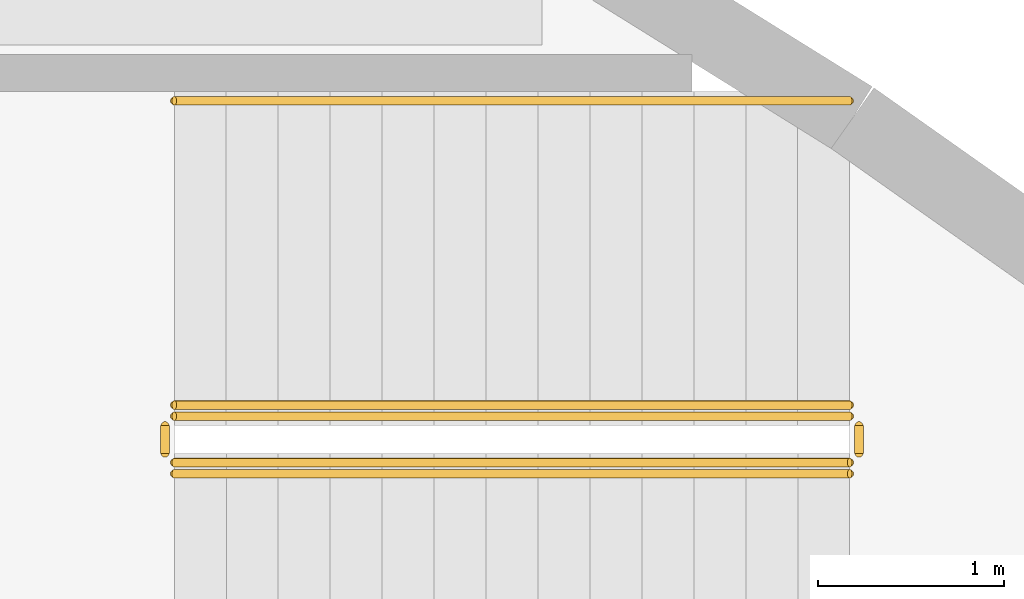
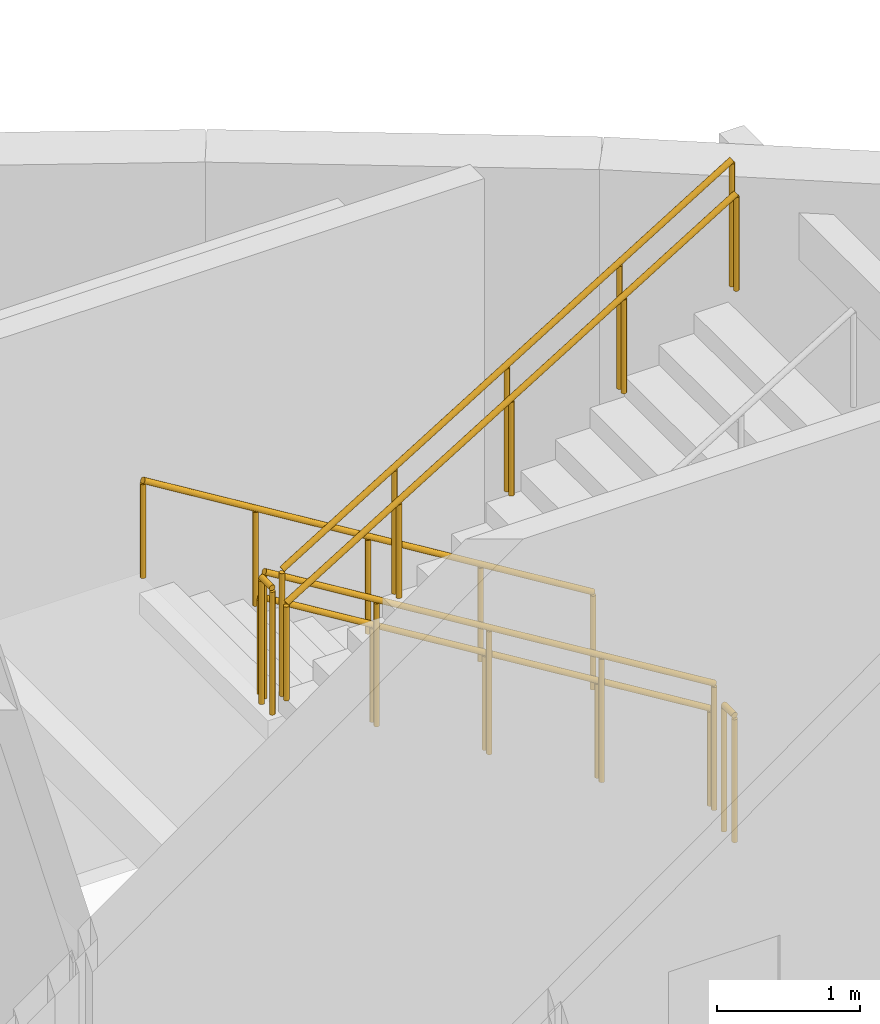
# One storey, part 90 of 93: 7 railings.
"""IFC4 building model written with IfcOpenShell, lengths in metres."""

from ifc_helpers import new_model, si_unit, direction, frame, origin, origin_2d, place, context, subcontext, project, spatial, circle, extrude, material, type_object, element, save


model = new_model("IFC4")

# Units and contexts
model_context = context("Model", 3, precision=1e-05, world=origin(), true_north=direction((0.0, 1.0)))
body_context = subcontext(model_context, "Body", "Model", "MODEL_VIEW")
ifc_project = project(units=[si_unit("LENGTHUNIT", "METRE"), si_unit("AREAUNIT", "SQUARE_METRE"), si_unit("VOLUMEUNIT", "CUBIC_METRE"), si_unit("PLANEANGLEUNIT", "RADIAN"), si_unit("MASSUNIT", "GRAM", prefix="KILO")], contexts=[model_context])

# Site, building, storey
site_placement = place(None, origin())
site = spatial("IfcSite", under=ifc_project, at=site_placement, CompositionType="ELEMENT")
building_placement = place(site_placement, origin())
building = spatial("IfcBuilding", under=site, at=building_placement, Name="Tide Square Theatres", CompositionType="ELEMENT")
storey_placement = place(building_placement, frame((0.0, 0.0, 5.39990234375)))
storey = spatial("IfcBuildingStorey", under=building, at=storey_placement, Name="L01", CompositionType="ELEMENT", Elevation=5.39990234375)

# Railings
ifc_material_1 = material(Name="Painted steel", Category="steel")
railing_type_1 = type_object("IfcRailingType", Name="Steel guard 1100", PredefinedType="GUARDRAIL", material=ifc_material_1)
railing_1_placement = place(storey_placement, frame((63.39990234375, 100.800048828125, 0.171630859375)))
element("IfcRailing", 1, at=railing_1_placement, inside=storey, type_object=railing_type_1, Name="L01 WST-2 stair guard 1", PredefinedType="GUARDRAIL", context=body_context, shape_type="SweptSolid", body=[
    extrude(circle(Radius=0.02392578125, at=origin_2d()), frame((0.0, 0.0, 1.076171875), z_axis=(-0.852850264322, 0.0, 0.5221555579), x_axis=(0.0, -1.0, 0.0)), (0.0, 0.0, 1.0), 4.267822265625),
    extrude(circle(Radius=0.02099609375, at=origin_2d()), origin(), (0.0, 0.0, 1.0), 1.052001953125),
    extrude(circle(Radius=0.02099609375, at=origin_2d()), frame((-0.909912109375, 0.0, 0.55712890625)), (0.0, 0.0, 1.0), 1.052001953125),
    extrude(circle(Radius=0.02099609375, at=origin_2d()), frame((-1.81982421875, 0.0, 1.1142578125)), (0.0, 0.0, 1.0), 1.052001953125),
    extrude(circle(Radius=0.02099609375, at=origin_2d()), frame((-2.72998046875, 0.0, 1.67138671875)), (0.0, 0.0, 1.0), 1.052001953125),
    extrude(circle(Radius=0.02099609375, at=origin_2d()), frame((-3.639892578125, 0.0, 2.228515625)), (0.0, 0.0, 1.0), 1.052001953125),
])
railing_2_placement = place(storey_placement, frame((59.7099609375, 100.75, 2.400146484375)))
element("IfcRailing", 2, at=railing_2_placement, inside=storey, type_object=railing_type_1, Name="L01 WST-2 stair guard 2", PredefinedType="GUARDRAIL", context=body_context, shape_type="SweptSolid", body=[
    extrude(circle(Radius=0.02392578125, at=origin_2d()), frame((0.0, 0.0, 1.076171875), z_axis=(0.0, -1.0, 0.0), x_axis=(1.0, 0.0, 0.0)), (0.0, 0.0, 1.0), 0.14990234375),
    extrude(circle(Radius=0.02099609375, at=origin_2d()), origin(), (0.0, 0.0, 1.0), 1.052001953125),
    extrude(circle(Radius=0.02099609375, at=origin_2d()), frame((0.0, -0.14990234375, 0.0)), (0.0, 0.0, 1.0), 1.052001953125),
])
railing_3_placement = place(storey_placement, frame((59.760009765625, 100.550048828125, 2.571533203125)))
element("IfcRailing", 3, at=railing_3_placement, inside=storey, type_object=railing_type_1, Name="L01 WST-2 stair guard 3", PredefinedType="GUARDRAIL", context=body_context, shape_type="SweptSolid", body=[
    extrude(circle(Radius=0.02392578125, at=origin_2d()), frame((0.0, 0.0, 1.076171875), z_axis=(0.852850264322, 0.0, 0.5221555579), x_axis=(0.0, 1.0, 0.0)), (0.0, 0.0, 1.0), 4.267822265625),
    extrude(circle(Radius=0.02099609375, at=origin_2d()), origin(), (0.0, 0.0, 1.0), 1.052001953125),
    extrude(circle(Radius=0.02099609375, at=origin_2d()), frame((0.909912109375, 0.0, 0.55712890625)), (0.0, 0.0, 1.0), 1.052001953125),
    extrude(circle(Radius=0.02099609375, at=origin_2d()), frame((1.81982421875, 0.0, 1.1142578125)), (0.0, 0.0, 1.0), 1.052001953125),
    extrude(circle(Radius=0.02099609375, at=origin_2d()), frame((2.72998046875, 0.0, 1.67138671875)), (0.0, 0.0, 1.0), 1.052001953125),
    extrude(circle(Radius=0.02099609375, at=origin_2d()), frame((3.639892578125, 0.0, 2.228515625)), (0.0, 0.0, 1.0), 1.052001953125),
])
railing_4_placement = place(storey_placement, frame((63.449951171875, 100.75, 0.0)))
element("IfcRailing", 4, at=railing_4_placement, inside=storey, type_object=railing_type_1, Name="L01 WST-2 stair guard 4", PredefinedType="GUARDRAIL", context=body_context, shape_type="SweptSolid", body=[
    extrude(circle(Radius=0.02392578125, at=origin_2d()), frame((0.0, 0.0, 1.076171875), z_axis=(0.0, -1.0, 0.0), x_axis=(1.0, 0.0, 0.0)), (0.0, 0.0, 1.0), 0.14990234375),
    extrude(circle(Radius=0.02099609375, at=origin_2d()), origin(), (0.0, 0.0, 1.0), 1.052001953125),
    extrude(circle(Radius=0.02099609375, at=origin_2d()), frame((0.0, -0.14990234375, 0.0)), (0.0, 0.0, 1.0), 1.052001953125),
])
ifc_material_2 = material(Name="Painted steel", Category="steel")
railing_type_2 = type_object("IfcRailingType", Name="Steel handrail 850", PredefinedType="HANDRAIL", material=ifc_material_2)
for number, where, name in (
    (5, (63.39990234375, 102.5, 0.171630859375), "L01 WST-2 stair handrail 1"),
    (6, (63.39990234375, 100.860107421875, 0.171630859375), "L01 WST-2 stair handrail 2"),
):
    element("IfcRailing", number, at=place(storey_placement, frame(where)), inside=storey, type_object=railing_type_2, Name=name, PredefinedType="HANDRAIL", context=body_context, shape_type="SweptSolid", body=[
        extrude(circle(Radius=0.02392578125, at=origin_2d()), frame((0.0, 0.0, 0.826171875), z_axis=(-0.852850264322, 0.0, 0.5221555579), x_axis=(0.0, -1.0, 0.0)), (0.0, 0.0, 1.0), 4.267822265625),
        extrude(circle(Radius=0.02099609375, at=origin_2d()), origin(), (0.0, 0.0, 1.0), 0.802001953125),
        extrude(circle(Radius=0.02099609375, at=origin_2d()), frame((-0.909912109375, 0.0, 0.55712890625)), (0.0, 0.0, 1.0), 0.802001953125),
        extrude(circle(Radius=0.02099609375, at=origin_2d()), frame((-1.81982421875, 0.0, 1.1142578125)), (0.0, 0.0, 1.0), 0.802001953125),
        extrude(circle(Radius=0.02099609375, at=origin_2d()), frame((-2.72998046875, 0.0, 1.67138671875)), (0.0, 0.0, 1.0), 0.802001953125),
        extrude(circle(Radius=0.02099609375, at=origin_2d()), frame((-3.639892578125, 0.0, 2.228515625)), (0.0, 0.0, 1.0), 0.802001953125),
    ])
railing_5_placement = place(storey_placement, frame((59.760009765625, 100.489990234375, 2.571533203125)))
element("IfcRailing", 7, at=railing_5_placement, inside=storey, type_object=railing_type_2, Name="L01 WST-2 stair handrail 4", PredefinedType="HANDRAIL", context=body_context, shape_type="SweptSolid", body=[
    extrude(circle(Radius=0.02392578125, at=origin_2d()), frame((0.0, 0.0, 0.826171875), z_axis=(0.852850264322, 0.0, 0.5221555579), x_axis=(0.0, 1.0, 0.0)), (0.0, 0.0, 1.0), 4.267822265625),
    extrude(circle(Radius=0.02099609375, at=origin_2d()), origin(), (0.0, 0.0, 1.0), 0.802001953125),
    extrude(circle(Radius=0.02099609375, at=origin_2d()), frame((0.909912109375, 0.0, 0.55712890625)), (0.0, 0.0, 1.0), 0.802001953125),
    extrude(circle(Radius=0.02099609375, at=origin_2d()), frame((1.81982421875, 0.0, 1.1142578125)), (0.0, 0.0, 1.0), 0.802001953125),
    extrude(circle(Radius=0.02099609375, at=origin_2d()), frame((2.72998046875, 0.0, 1.67138671875)), (0.0, 0.0, 1.0), 0.802001953125),
    extrude(circle(Radius=0.02099609375, at=origin_2d()), frame((3.639892578125, 0.0, 2.228515625)), (0.0, 0.0, 1.0), 0.802001953125),
])

save(model, "model.ifc")
